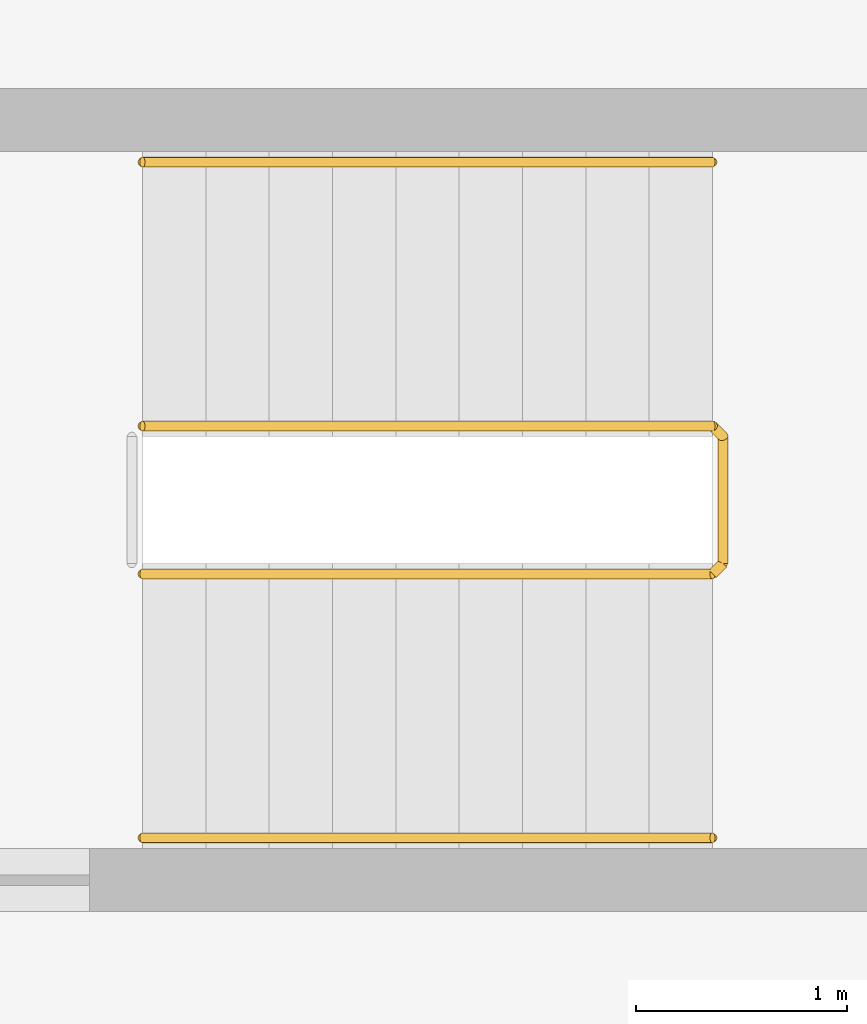
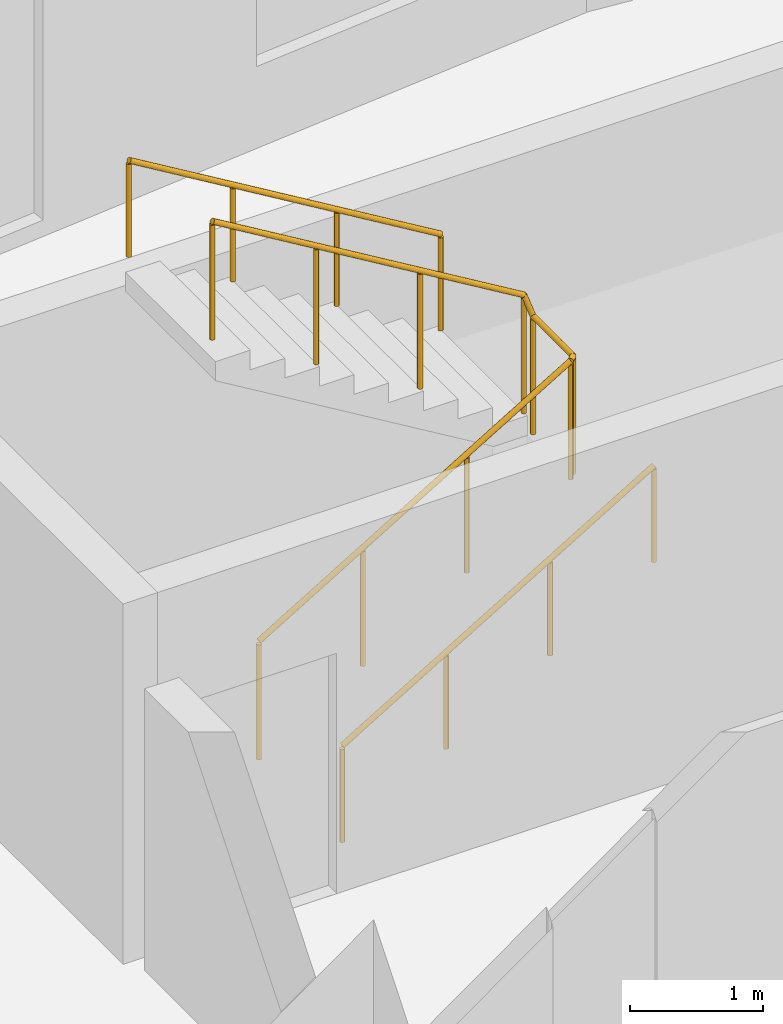
# One storey, part 13 of 13: 3 railings.
"""IFC4 building model written with IfcOpenShell, lengths in metres."""

from ifc_helpers import new_model, si_unit, direction, frame, origin, origin_2d, place, context, subcontext, project, spatial, circle, extrude, material, type_object, element, save


model = new_model("IFC4")

# Units and contexts
model_context = context("Model", 3, precision=1e-05, world=origin(), true_north=direction((0.0, 1.0)))
body_context = subcontext(model_context, "Body", "Model", "MODEL_VIEW")
ifc_project = project(units=[si_unit("LENGTHUNIT", "METRE"), si_unit("AREAUNIT", "SQUARE_METRE"), si_unit("VOLUMEUNIT", "CUBIC_METRE"), si_unit("PLANEANGLEUNIT", "RADIAN"), si_unit("MASSUNIT", "GRAM", prefix="KILO")], contexts=[model_context])

# Site, building, storey
site_placement = place(None, origin())
site = spatial("IfcSite", under=ifc_project, at=site_placement, CompositionType="ELEMENT")
building_placement = place(site_placement, origin())
building = spatial("IfcBuilding", under=site, at=building_placement, Name="Brondeck Convention Tower", CompositionType="ELEMENT")
storey_placement = place(building_placement, frame((0.0, 0.0, 41.10009765625)))
storey = spatial("IfcBuildingStorey", under=building, at=storey_placement, Name="L07", CompositionType="ELEMENT", Elevation=41.10009765625)

# Railings
ifc_material = material(Name="Steel S355", Category="steel")
railing_type_1 = type_object("IfcRailingType", Name="Stair guard 1100", PredefinedType="GUARDRAIL", material=ifc_material)
railing_1_placement = place(storey_placement, frame((37.85009765625, 55.449951171875, 0.179931640625)))
element("IfcRailing", 1, at=railing_1_placement, inside=storey, type_object=railing_type_1, Name="L07 ST-AE stair guard 1", PredefinedType="GUARDRAIL", context=body_context, shape_type="SweptSolid", body=[
    extrude(circle(Radius=0.02392578125, at=origin_2d()), frame((0.0, 0.0, 1.076171875), z_axis=(0.857506608807, 0.0, 0.514472949583), x_axis=(0.0, 1.0, 0.0)), (0.0, 0.0, 1.0), 3.148681640625),
    extrude(circle(Radius=0.02392578125, at=origin_2d()), frame((2.699951171875, 0.0, 2.69580078125), z_axis=(0.707106781187, 0.707106781187, 0.0), x_axis=(-0.707106781187, 0.707106781187, 0.0)), (0.0, 0.0, 1.0), 0.07080078125),
    extrude(circle(Radius=0.02392578125, at=origin_2d()), frame((2.75, 0.050048828125, 2.69580078125), z_axis=(0.0, 1.0, 0.0), x_axis=(-1.0, 0.0, 0.0)), (0.0, 0.0, 1.0), 0.60009765625),
    extrude(circle(Radius=0.02392578125, at=origin_2d()), frame((2.75, 0.650146484375, 2.69580078125), z_axis=(-0.258627984543, 0.257366384619, 0.931060744355), x_axis=(-0.705375805398, -0.708833529934, 0.0)), (0.0, 0.0, 1.0), 0.193603515625),
    extrude(circle(Radius=0.02392578125, at=origin_2d()), frame((2.699951171875, 0.699951171875, 2.8759765625), z_axis=(-0.857506608807, 0.0, 0.514472949583), x_axis=(0.0, -1.0, 0.0)), (0.0, 0.0, 1.0), 3.148681640625),
    extrude(circle(Radius=0.02099609375, at=origin_2d()), origin(), (0.0, 0.0, 1.0), 1.052001953125),
    extrude(circle(Radius=0.02099609375, at=origin_2d()), frame((0.89990234375, 0.0, 0.5400390625)), (0.0, 0.0, 1.0), 1.052001953125),
    extrude(circle(Radius=0.02099609375, at=origin_2d()), frame((1.800048828125, 0.0, 1.079833984375)), (0.0, 0.0, 1.0), 1.052001953125),
    extrude(circle(Radius=0.02099609375, at=origin_2d()), frame((2.699951171875, 0.0, 1.619873046875)), (0.0, 0.0, 1.0), 1.052001953125),
    extrude(circle(Radius=0.02099609375, at=origin_2d()), frame((2.75, 0.050048828125, 1.619873046875)), (0.0, 0.0, 1.0), 1.052001953125),
    extrude(circle(Radius=0.02099609375, at=origin_2d()), frame((2.75, 0.650146484375, 1.619873046875)), (0.0, 0.0, 1.0), 1.052001953125),
    extrude(circle(Radius=0.02099609375, at=origin_2d()), frame((2.699951171875, 0.699951171875, 1.800048828125)), (0.0, 0.0, 1.0), 1.052001953125),
    extrude(circle(Radius=0.02099609375, at=origin_2d()), frame((1.800048828125, 0.699951171875, 2.340087890625)), (0.0, 0.0, 1.0), 1.052001953125),
    extrude(circle(Radius=0.02099609375, at=origin_2d()), frame((0.89990234375, 0.699951171875, 2.8798828125)), (0.0, 0.0, 1.0), 1.052001953125),
    extrude(circle(Radius=0.02099609375, at=origin_2d()), frame((0.0, 0.699951171875, 3.419921875)), (0.0, 0.0, 1.0), 1.052001953125),
])
railing_type_2 = type_object("IfcRailingType", Name="Stair handrail", PredefinedType="HANDRAIL", material=ifc_material)
railing_2_placement = place(storey_placement, frame((37.85009765625, 54.199951171875, 0.179931640625)))
element("IfcRailing", 2, at=railing_2_placement, inside=storey, type_object=railing_type_2, Name="L07 ST-AE stair handrail 1", PredefinedType="HANDRAIL", context=body_context, shape_type="SweptSolid", body=[
    extrude(circle(Radius=0.02392578125, at=origin_2d()), frame((0.0, 0.0, 0.8759765625), z_axis=(0.857506608807, 0.0, 0.514472949583), x_axis=(0.0, 1.0, 0.0)), (0.0, 0.0, 1.0), 3.148681640625),
    extrude(circle(Radius=0.02099609375, at=origin_2d()), origin(), (0.0, 0.0, 1.0), 0.851806640625),
    extrude(circle(Radius=0.02099609375, at=origin_2d()), frame((0.89990234375, 0.0, 0.5400390625)), (0.0, 0.0, 1.0), 0.851806640625),
    extrude(circle(Radius=0.02099609375, at=origin_2d()), frame((1.800048828125, 0.0, 1.079833984375)), (0.0, 0.0, 1.0), 0.851806640625),
    extrude(circle(Radius=0.02099609375, at=origin_2d()), frame((2.699951171875, 0.0, 1.619873046875)), (0.0, 0.0, 1.0), 0.851806640625),
])
railing_3_placement = place(storey_placement, frame((40.550048828125, 57.39990234375, 1.97998046875)))
element("IfcRailing", 3, at=railing_3_placement, inside=storey, type_object=railing_type_2, Name="L07 ST-AE stair handrail 2", PredefinedType="HANDRAIL", context=body_context, shape_type="SweptSolid", body=[
    extrude(circle(Radius=0.02392578125, at=origin_2d()), frame((0.0, 0.0, 0.8759765625), z_axis=(-0.857506608807, 0.0, 0.514472949583), x_axis=(0.0, -1.0, 0.0)), (0.0, 0.0, 1.0), 3.148681640625),
    extrude(circle(Radius=0.02099609375, at=origin_2d()), origin(), (0.0, 0.0, 1.0), 0.851806640625),
    extrude(circle(Radius=0.02099609375, at=origin_2d()), frame((-0.89990234375, 0.0, 0.5400390625)), (0.0, 0.0, 1.0), 0.851806640625),
    extrude(circle(Radius=0.02099609375, at=origin_2d()), frame((-1.800048828125, 0.0, 1.079833984375)), (0.0, 0.0, 1.0), 0.851806640625),
    extrude(circle(Radius=0.02099609375, at=origin_2d()), frame((-2.699951171875, 0.0, 1.619873046875)), (0.0, 0.0, 1.0), 0.851806640625),
])

save(model, "model.ifc")
